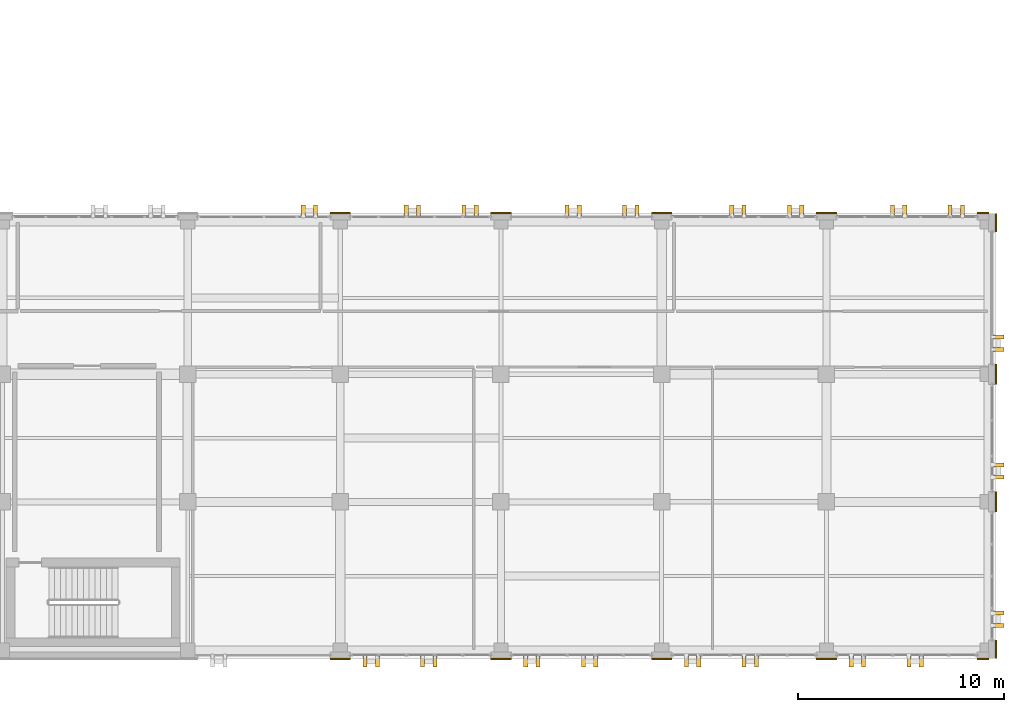
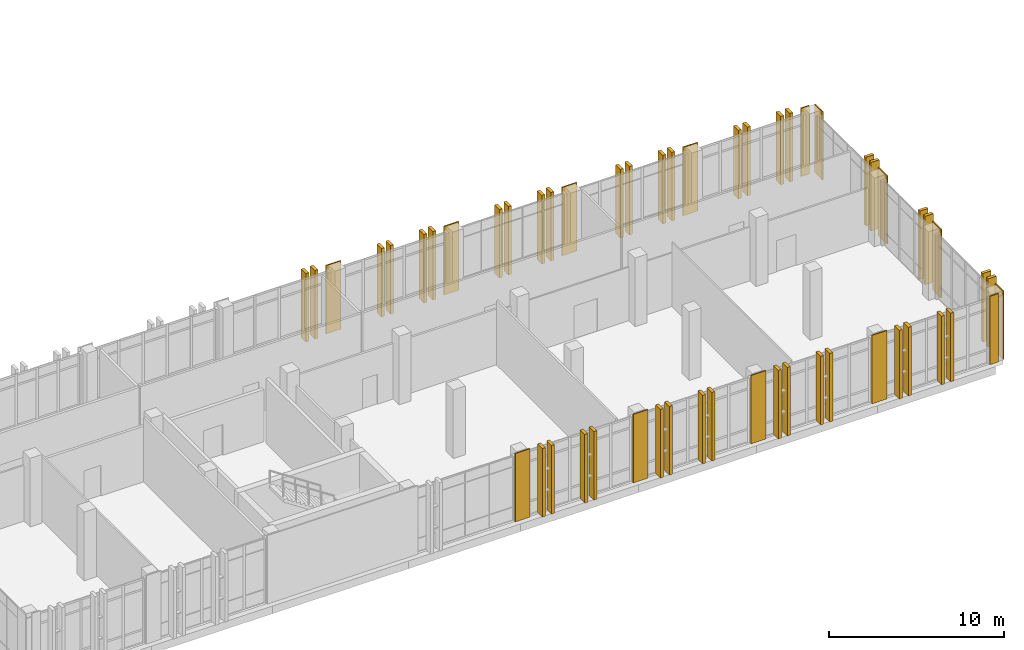
# One storey, part 184 of 189: 54 coverings.
"""IFC4 building model written with IfcOpenShell, lengths in metres."""

from ifc_helpers import new_model, si_unit, direction, frame, origin, origin_2d, place, context, subcontext, project, spatial, rectangle, extrude, material, layer, layer_set, type_object, element, save


model = new_model("IFC4")

# Units and contexts
model_context = context("Model", 3, precision=1e-05, world=origin(), true_north=direction((0.0, 1.0)))
body_context = subcontext(model_context, "Body", "Model", "MODEL_VIEW")
ifc_project = project(units=[si_unit("LENGTHUNIT", "METRE"), si_unit("AREAUNIT", "SQUARE_METRE"), si_unit("VOLUMEUNIT", "CUBIC_METRE"), si_unit("PLANEANGLEUNIT", "RADIAN"), si_unit("MASSUNIT", "GRAM", prefix="KILO")], contexts=[model_context])

# Site, building, storey
site_placement = place(None, origin())
site = spatial("IfcSite", under=ifc_project, at=site_placement, CompositionType="ELEMENT")
building_placement = place(site_placement, origin())
building = spatial("IfcBuilding", under=site, at=building_placement, Name="Qalavern Law Courts", CompositionType="ELEMENT")
storey_placement = place(building_placement, frame((0.0, 0.0, 5.39990234375)))
storey = spatial("IfcBuildingStorey", under=building, at=storey_placement, Name="L01", CompositionType="ELEMENT", Elevation=5.39990234375)

# Coverings
ifc_material = material(Name="Precast concrete C40/50", Category="concrete")
ifc_layer_1 = layer(ifc_material, 0.199951171875)
ifc_layer_set_1 = layer_set([ifc_layer_1], Name="Precast concrete C40/50")
covering_type_1 = type_object("IfcCoveringType", Name="ENV-BLD-1", PredefinedType="CLADDING", material=ifc_layer_set_1)
for number, where, z_axis, x_axis, name in (
    (1, (135.39990234375, 0.8525390625, 0.005126953125), (0.0, 0.0, 1.0), (0.0, -1.0, 0.0), "Absheron stone facade blade 1205"),
    (2, (136.0, 0.8525390625, 0.005126953125), (0.0, 0.0, 1.0), (0.0, -1.0, 0.0), "Absheron stone facade blade 1206"),
    (3, (138.199951171875, 0.8525390625, 0.005126953125), (0.0, 0.0, 1.0), (0.0, -1.0, 0.0), "Absheron stone facade blade 1207"),
    (4, (138.800048828125, 0.8525390625, 0.005126953125), (0.0, 0.0, 1.0), (0.0, -1.0, 0.0), "Absheron stone facade blade 1208"),
    (5, (143.199951171875, 0.8525390625, 0.005126953125), (0.0, 0.0, 1.0), (0.0, -1.0, 0.0), "Absheron stone facade blade 1209"),
    (6, (143.800048828125, 0.8525390625, 0.005126953125), (0.0, 0.0, 1.0), (0.0, -1.0, 0.0), "Absheron stone facade blade 1210"),
    (7, (146.0, 0.8525390625, 0.005126953125), (0.0, 0.0, 1.0), (0.0, -1.0, 0.0), "Absheron stone facade blade 1211"),
    (8, (146.60009765625, 0.8525390625, 0.005126953125), (0.0, 0.0, 1.0), (0.0, -1.0, 0.0), "Absheron stone facade blade 1212"),
    (9, (151.0, 0.8525390625, 0.005126953125), (0.0, 0.0, 1.0), (0.0, -1.0, 0.0), "Absheron stone facade blade 1213"),
    (10, (151.60009765625, 0.8525390625, 0.005126953125), (0.0, 0.0, 1.0), (0.0, -1.0, 0.0), "Absheron stone facade blade 1214"),
    (11, (153.800048828125, 0.8525390625, 0.005126953125), (0.0, 0.0, 1.0), (0.0, -1.0, 0.0), "Absheron stone facade blade 1215"),
    (12, (154.39990234375, 0.8525390625, 0.005126953125), (0.0, 0.0, 1.0), (0.0, -1.0, 0.0), "Absheron stone facade blade 1216"),
    (13, (159.0, 0.8525390625, 0.005126953125), (0.0, 0.0, 1.0), (0.0, -1.0, 0.0), "Absheron stone facade blade 1217"),
    (14, (159.60009765625, 0.8525390625, 0.005126953125), (0.0, 0.0, 1.0), (0.0, -1.0, 0.0), "Absheron stone facade blade 1218"),
    (15, (161.800048828125, 0.8525390625, 0.005126953125), (0.0, 0.0, 1.0), (0.0, -1.0, 0.0), "Absheron stone facade blade 1219"),
    (16, (162.39990234375, 0.8525390625, 0.005126953125), (0.0, 0.0, 1.0), (0.0, -1.0, 0.0), "Absheron stone facade blade 1220"),
    (17, (166.1474609375, 2.60009765625, 0.005126953125), (0.0, 0.0, 1.0), (1.0, 0.0, 0.0), "Absheron stone facade blade 1221"),
    (18, (166.1474609375, 3.199951171875, 0.005126953125), (0.0, 0.0, 1.0), (1.0, 0.0, 0.0), "Absheron stone facade blade 1222"),
    (19, (166.1474609375, 9.800048828125, 0.005126953125), (0.0, 0.0, 1.0), (1.0, 0.0, 0.0), "Absheron stone facade blade 1223"),
    (20, (166.1474609375, 10.39990234375, 0.005126953125), (0.0, 0.0, 1.0), (1.0, 0.0, 0.0), "Absheron stone facade blade 1224"),
    (21, (166.1474609375, 16.0, 0.005126953125), (0.0, 0.0, 1.0), (1.0, 0.0, 0.0), "Absheron stone facade blade 1225"),
    (22, (166.1474609375, 16.60009765625, 0.005126953125), (0.0, 0.0, 1.0), (1.0, 0.0, 0.0), "Absheron stone facade blade 1226"),
    (23, (164.39990234375, 22.74755859375, 0.005126953125), (0.0, 0.0, 1.0), (0.0, 1.0, 0.0), "Absheron stone facade blade 1227"),
    (24, (163.800048828125, 22.74755859375, 0.005126953125), (0.0, 0.0, 1.0), (0.0, 1.0, 0.0), "Absheron stone facade blade 1228"),
    (25, (161.60009765625, 22.74755859375, 0.005126953125), (0.0, 0.0, 1.0), (0.0, 1.0, 0.0), "Absheron stone facade blade 1229"),
    (26, (161.0, 22.74755859375, 0.005126953125), (0.0, 0.0, 1.0), (0.0, 1.0, 0.0), "Absheron stone facade blade 1230"),
    (27, (156.60009765625, 22.74755859375, 0.005126953125), (0.0, 0.0, 1.0), (0.0, 1.0, 0.0), "Absheron stone facade blade 1231"),
    (28, (156.0, 22.74755859375, 0.005126953125), (0.0, 0.0, 1.0), (0.0, 1.0, 0.0), "Absheron stone facade blade 1232"),
    (29, (153.800048828125, 22.74755859375, 0.005126953125), (0.0, 0.0, 1.0), (0.0, 1.0, 0.0), "Absheron stone facade blade 1233"),
    (30, (153.199951171875, 22.74755859375, 0.005126953125), (0.0, 0.0, 1.0), (0.0, 1.0, 0.0), "Absheron stone facade blade 1234"),
    (31, (148.60009765625, 22.74755859375, 0.005126953125), (0.0, 0.0, 1.0), (0.0, 1.0, 0.0), "Absheron stone facade blade 1235"),
    (32, (148.0, 22.74755859375, 0.005126953125), (0.0, 0.0, 1.0), (0.0, 1.0, 0.0), "Absheron stone facade blade 1236"),
    (33, (145.800048828125, 22.74755859375, 0.005126953125), (0.0, 0.0, 1.0), (0.0, 1.0, 0.0), "Absheron stone facade blade 1237"),
    (34, (145.199951171875, 22.74755859375, 0.005126953125), (0.0, 0.0, 1.0), (0.0, 1.0, 0.0), "Absheron stone facade blade 1238"),
    (35, (140.800048828125, 22.74755859375, 0.005126953125), (0.0, 0.0, 1.0), (0.0, 1.0, 0.0), "Absheron stone facade blade 1239"),
    (36, (140.199951171875, 22.74755859375, 0.005126953125), (0.0, 0.0, 1.0), (0.0, 1.0, 0.0), "Absheron stone facade blade 1240"),
    (37, (138.0, 22.74755859375, 0.005126953125), (0.0, 0.0, 1.0), (0.0, 1.0, 0.0), "Absheron stone facade blade 1241"),
    (38, (137.39990234375, 22.74755859375, 0.005126953125), (0.0, 0.0, 1.0), (0.0, 1.0, 0.0), "Absheron stone facade blade 1242"),
    (39, (133.0, 22.74755859375, 0.005126953125), (0.0, 0.0, 1.0), (0.0, 1.0, 0.0), "Absheron stone facade blade 1243"),
    (40, (132.39990234375, 22.74755859375, 0.005126953125), (0.0, 0.0, 1.0), (0.0, 1.0, 0.0), "Absheron stone facade blade 1244"),
):
    element("IfcCovering", number, at=place(storey_placement, frame(where, z_axis=z_axis, x_axis=x_axis)), inside=storey, type_object=covering_type_1, Name=name, PredefinedType="CLADDING", context=body_context, shape_type="SweptSolid", body=[
        extrude(rectangle(XDim=0.5400390625, YDim=0.199951171875, at=origin_2d()), origin(), (0.0, 0.0, 1.0), 4.7900390625),
    ])
ifc_layer_2 = layer(ifc_material, 0.072021484375)
ifc_layer_set_2 = layer_set([ifc_layer_2], Name="Precast concrete C40/50")
covering_type_2 = type_object("IfcCoveringType", Name="ENV-CLD-2", PredefinedType="CLADDING", material=ifc_layer_set_2)
for number, where, z_axis, x_axis, name in (
    (41, (134.199951171875, 0.967041015625, 0.01025390625), (0.0, 0.0, 1.0), (1.0, 0.0, 0.0), "V6 Absheron limestone pier facing L01 south 4"),
    (42, (142.0, 0.967041015625, 0.01025390625), (0.0, 0.0, 1.0), (1.0, 0.0, 0.0), "V6 Absheron limestone pier facing L01 south 5"),
    (43, (149.800048828125, 0.967041015625, 0.01025390625), (0.0, 0.0, 1.0), (1.0, 0.0, 0.0), "V6 Absheron limestone pier facing L01 south 6"),
    (44, (157.800048828125, 0.967041015625, 0.01025390625), (0.0, 0.0, 1.0), (1.0, 0.0, 0.0), "V6 Absheron limestone pier facing L01 south 7"),
):
    element("IfcCovering", number, at=place(storey_placement, frame(where, z_axis=z_axis, x_axis=x_axis)), inside=storey, type_object=covering_type_2, Name=name, PredefinedType="CLADDING", context=body_context, shape_type="SweptSolid", body=[
        extrude(rectangle(XDim=0.97998046875, YDim=0.072021484375, at=origin_2d()), origin(), (0.0, 0.0, 1.0), 4.780029296875),
    ])
covering_1_placement = place(storey_placement, frame((165.389892578125, 0.967041015625, 0.01025390625), z_axis=(0.0, 0.0, 1.0), x_axis=(1.0, 0.0, 0.0)))
element("IfcCovering", 45, at=covering_1_placement, inside=storey, type_object=covering_type_2, Name="V6 Absheron limestone pier facing L01 south 8", PredefinedType="CLADDING", context=body_context, shape_type="SweptSolid", body=[
    extrude(rectangle(XDim=0.56005859375, YDim=0.072021484375, at=origin_2d()), origin(), (0.0, 0.0, 1.0), 4.780029296875),
])
covering_2_placement = place(storey_placement, frame((166.032958984375, 1.449951171875, 0.01025390625), z_axis=(0.0, 0.0, 1.0), x_axis=(0.0, 1.0, 0.0)))
element("IfcCovering", 46, at=covering_2_placement, inside=storey, type_object=covering_type_2, Name="V6 Absheron limestone pier facing L01 east 1", PredefinedType="CLADDING", context=body_context, shape_type="SweptSolid", body=[
    extrude(rectangle(XDim=0.8798828125, YDim=0.072021484375, at=origin_2d()), origin(), (0.0, 0.0, 1.0), 4.780029296875),
])
for number, where, z_axis, x_axis, name in (
    (47, (166.032958984375, 8.60009765625, 0.01025390625), (0.0, 0.0, 1.0), (0.0, 1.0, 0.0), "V6 Absheron limestone pier facing L01 east 2"),
    (48, (166.032958984375, 14.800048828125, 0.01025390625), (0.0, 0.0, 1.0), (0.0, 1.0, 0.0), "V6 Absheron limestone pier facing L01 east 3"),
):
    element("IfcCovering", number, at=place(storey_placement, frame(where, z_axis=z_axis, x_axis=x_axis)), inside=storey, type_object=covering_type_2, Name=name, PredefinedType="CLADDING", context=body_context, shape_type="SweptSolid", body=[
        extrude(rectangle(XDim=0.97998046875, YDim=0.072021484375, at=origin_2d()), origin(), (0.0, 0.0, 1.0), 4.780029296875),
    ])
covering_3_placement = place(storey_placement, frame((166.032958984375, 22.14990234375, 0.01025390625), z_axis=(0.0, 0.0, 1.0), x_axis=(0.0, 1.0, 0.0)))
element("IfcCovering", 49, at=covering_3_placement, inside=storey, type_object=covering_type_2, Name="V6 Absheron limestone pier facing L01 east 4", PredefinedType="CLADDING", context=body_context, shape_type="SweptSolid", body=[
    extrude(rectangle(XDim=0.8798828125, YDim=0.072021484375, at=origin_2d()), origin(), (0.0, 0.0, 1.0), 4.780029296875),
])
covering_4_placement = place(storey_placement, frame((165.389892578125, 22.633056640625, 0.01025390625), z_axis=(0.0, 0.0, 1.0), x_axis=(-1.0, 0.0, 0.0)))
element("IfcCovering", 50, at=covering_4_placement, inside=storey, type_object=covering_type_2, Name="V6 Absheron limestone pier facing L01 north 1", PredefinedType="CLADDING", context=body_context, shape_type="SweptSolid", body=[
    extrude(rectangle(XDim=0.56005859375, YDim=0.072021484375, at=origin_2d()), origin(), (0.0, 0.0, 1.0), 4.780029296875),
])
for number, where, z_axis, x_axis, name in (
    (51, (157.800048828125, 22.633056640625, 0.01025390625), (0.0, 0.0, 1.0), (-1.0, 0.0, 0.0), "V6 Absheron limestone pier facing L01 north 2"),
    (52, (149.800048828125, 22.633056640625, 0.01025390625), (0.0, 0.0, 1.0), (-1.0, 0.0, 0.0), "V6 Absheron limestone pier facing L01 north 3"),
    (53, (142.0, 22.633056640625, 0.01025390625), (0.0, 0.0, 1.0), (-1.0, 0.0, 0.0), "V6 Absheron limestone pier facing L01 north 4"),
    (54, (134.199951171875, 22.633056640625, 0.01025390625), (0.0, 0.0, 1.0), (-1.0, 0.0, 0.0), "V6 Absheron limestone pier facing L01 north 5"),
):
    element("IfcCovering", number, at=place(storey_placement, frame(where, z_axis=z_axis, x_axis=x_axis)), inside=storey, type_object=covering_type_2, Name=name, PredefinedType="CLADDING", context=body_context, shape_type="SweptSolid", body=[
        extrude(rectangle(XDim=0.97998046875, YDim=0.072021484375, at=origin_2d()), origin(), (0.0, 0.0, 1.0), 4.780029296875),
    ])

save(model, "model.ifc")
